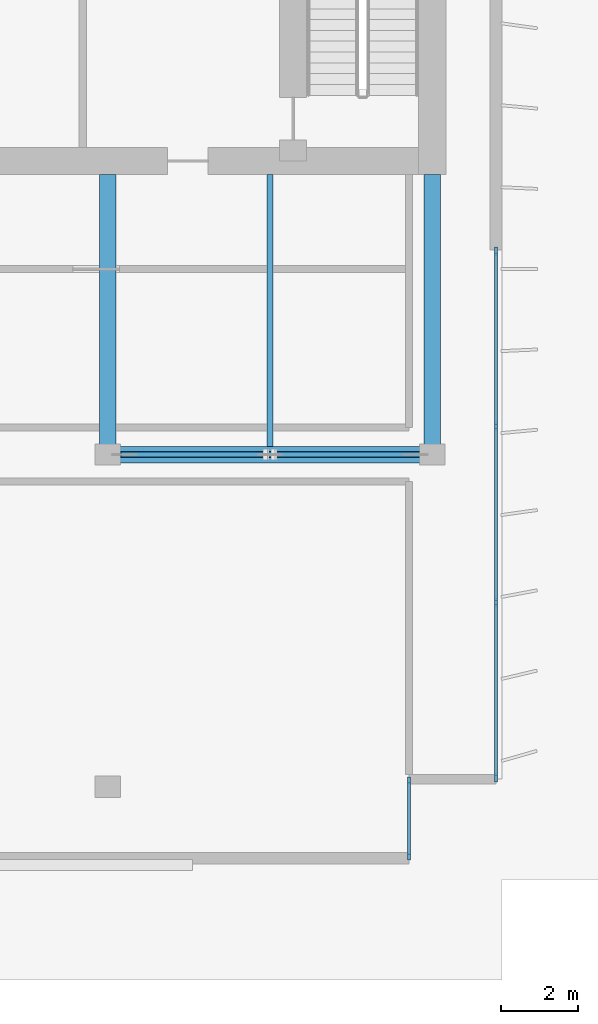
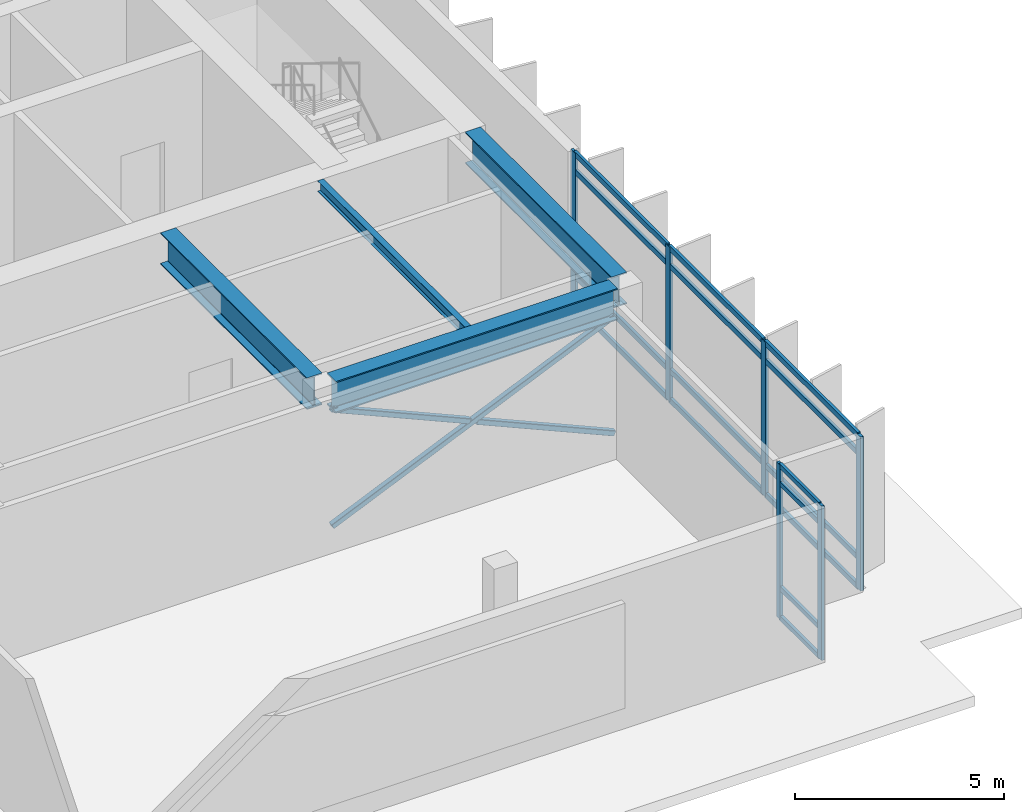
# One storey, part 3 of 10: 25 members, 4 beams, 2 elements without a shape of their own.
"""IFC4 building model written with IfcOpenShell, lengths in metres."""

from ifc_helpers import new_model, si_unit, direction, frame, origin, origin_2d, place, context, subcontext, project, spatial, rectangle, hollow_rectangle, i_section, extrude, material, layer, layer_set, material_profile, profile_set, type_object, element, aggregate, save


model = new_model("IFC4")

# Units and contexts
model_context = context("Model", 3, precision=1e-05, world=origin(), true_north=direction((0.0, 1.0)))
body_context = subcontext(model_context, "Body", "Model", "MODEL_VIEW")
ifc_project = project(units=[si_unit("LENGTHUNIT", "METRE"), si_unit("AREAUNIT", "SQUARE_METRE"), si_unit("VOLUMEUNIT", "CUBIC_METRE"), si_unit("PLANEANGLEUNIT", "RADIAN"), si_unit("MASSUNIT", "GRAM", prefix="KILO")], contexts=[model_context])

# Site, building, storey
site_placement = place(None, origin())
site = spatial("IfcSite", under=ifc_project, at=site_placement, CompositionType="ELEMENT")
building_placement = place(site_placement, origin())
building = spatial("IfcBuilding", under=site, at=building_placement, Name="Caelmar Bay Residences", CompositionType="ELEMENT")
storey_placement = place(building_placement, frame((0.0, 0.0, 295.60009765625)))
storey = spatial("IfcBuildingStorey", under=building, at=storey_placement, Name="L81", CompositionType="ELEMENT", Elevation=295.60009765625)

# Beams
ifc_material_1 = material(Name="Steel ASTM A992 Grade 50", Category="steel")
ifc_material_profile_1 = material_profile(ifc_material_1, i_section(OverallWidth=0.422119140625, OverallDepth=0.925048828125, WebThickness=0.021240234375, FlangeThickness=0.03662109375, FilletRadius=0.020263671875, at=origin_2d()), Name="W36X262")
ifc_profile_set_1 = profile_set([ifc_material_profile_1], Name="Steel ASTM A992 Grade 50")
beam_type_1 = type_object("IfcBeamType", Name="BM-GRD-W36X262", PredefinedType="BEAM", material=ifc_profile_set_1)
beam_1_placement = place(storey_placement, frame((51.4150390625, 29.39990234375, 4.037353515625), z_axis=(1.0, 0.0, 0.0), x_axis=(0.0, 1.0, 0.0)))
element("IfcBeam", 1, at=beam_1_placement, inside=storey, type_object=beam_type_1, Name="L81 East-West Girder Y=29.40 (51.1-59.5)", PredefinedType="BEAM", context=body_context, shape_type="SweptSolid", body=[
    extrude(i_section(OverallWidth=0.422119140625, OverallDepth=0.925048828125, WebThickness=0.021240234375, FlangeThickness=0.03662109375, FilletRadius=0.020263671875, at=origin_2d()), origin(), (0.0, 0.0, 1.0), 7.77001953125),
])
for number, where, z_axis, x_axis, name in (
    (2, (51.10009765625, 29.6650390625, 4.037353515625), (0.0, 1.0, 0.0), (-1.0, 0.0, 0.0), "L81 Core Tie Girder X=51.10"),
    (3, (59.5, 29.6650390625, 4.037353515625), (0.0, 1.0, 0.0), (-1.0, 0.0, 0.0), "L81 Core Tie Girder X=59.50"),
):
    element("IfcBeam", number, at=place(storey_placement, frame(where, z_axis=z_axis, x_axis=x_axis)), inside=storey, type_object=beam_type_1, Name=name, PredefinedType="BEAM", context=body_context, shape_type="SweptSolid", body=[
        extrude(i_section(OverallWidth=0.422119140625, OverallDepth=0.925048828125, WebThickness=0.021240234375, FlangeThickness=0.03662109375, FilletRadius=0.020263671875, at=origin_2d()), origin(), (0.0, 0.0, 1.0), 6.98486328125),
    ])
ifc_material_profile_2 = material_profile(ifc_material_1, i_section(OverallWidth=0.1650390625, OverallDepth=0.31005859375, WebThickness=0.005859375, FlangeThickness=0.009765625, FilletRadius=0.007568359375, at=origin_2d()), Name="W12X26")
ifc_profile_set_2 = profile_set([ifc_material_profile_2], Name="Steel ASTM A992 Grade 50")
beam_type_2 = type_object("IfcBeamType", Name="BM-JST-W12X26", PredefinedType="JOIST", material=ifc_profile_set_2)
beam_2_placement = place(storey_placement, frame((55.300048828125, 29.611083984375, 4.344970703125), z_axis=(0.0, 1.0, 0.0), x_axis=(-1.0, 0.0, 0.0)))
element("IfcBeam", 4, at=beam_2_placement, inside=storey, type_object=beam_type_2, Name="L81 Core-Band Composite Joist 2", PredefinedType="JOIST", context=body_context, shape_type="SweptSolid", body=[
    extrude(i_section(OverallWidth=0.1650390625, OverallDepth=0.31005859375, WebThickness=0.005859375, FlangeThickness=0.009765625, FilletRadius=0.007568359375, at=origin_2d()), origin(), (0.0, 0.0, 1.0), 7.038818359375),
])

# Curtain wall, members
ifc_material_2 = material(Name="Anodised bronze aluminium 6063-T6 and laminated glass", Category="aluminium")
ifc_layer_1 = layer(ifc_material_2, 0.179931640625)
ifc_layer_set_1 = layer_set([ifc_layer_1], Name="Anodised bronze aluminium 6063-T6 and laminated glass")
curtain_wall_type_1 = type_object("IfcCurtainWallType", Name="CW6-NTC", PredefinedType="NOTDEFINED", material=ifc_layer_set_1)
curtain_wall_1_placement = place(storey_placement, origin())
curtain_wall_1 = element("IfcCurtainWall", 5, at=curtain_wall_1_placement, inside=storey, type_object=curtain_wall_type_1, Name="CW6 curtain wall L81", PredefinedType="NOTDEFINED")
ifc_material_3 = material(Name="Anodised bronze aluminium 6063-T6", Category="aluminium")
ifc_material_profile_3 = material_profile(ifc_material_3, rectangle(XDim=0.080078125, YDim=0.179931640625, at=origin_2d()), Name="CWM-80X180")
ifc_profile_set_3 = profile_set([ifc_material_profile_3], Name="Anodised bronze aluminium 6063-T6")
member_type_1 = type_object("IfcMemberType", Name="CWM-180", PredefinedType="MULLION", material=ifc_profile_set_3)
member_1_placement = place(storey_placement, frame((58.89990234375, 18.989990234375, 0.0), z_axis=(0.0, 0.0, 1.0), x_axis=(-1.0, 0.0, 0.0)))
member_1 = element("IfcMember", 6, at=member_1_placement, type_object=member_type_1, Name="CW6 mullion 1", PredefinedType="MULLION", context=body_context, shape_type="SweptSolid", body=[
    extrude(rectangle(XDim=0.080078125, YDim=0.179931640625, at=origin_2d()), origin(), (0.0, 0.0, 1.0), 4.5),
])
member_2_placement = place(storey_placement, frame((58.89990234375, 20.9599609375, 0.0), z_axis=(0.0, 0.0, 1.0), x_axis=(-1.0, 0.0, 0.0)))
member_2 = element("IfcMember", 7, at=member_2_placement, type_object=member_type_1, Name="CW6 mullion 2", PredefinedType="MULLION", context=body_context, shape_type="SweptSolid", body=[
    extrude(rectangle(XDim=0.080078125, YDim=0.179931640625, at=origin_2d()), origin(), (0.0, 0.0, 1.0), 4.5),
])

ifc_layer_2 = layer(ifc_material_2, 0.179931640625)
ifc_layer_set_2 = layer_set([ifc_layer_2], Name="Anodised bronze aluminium 6063-T6 and laminated glass")
curtain_wall_type_2 = type_object("IfcCurtainWallType", Name="CW7-CRN", PredefinedType="NOTDEFINED", material=ifc_layer_set_2)
curtain_wall_2_placement = place(storey_placement, origin())
curtain_wall_2 = element("IfcCurtainWall", 8, at=curtain_wall_2_placement, inside=storey, type_object=curtain_wall_type_2, Name="CW7 curtain wall L81", PredefinedType="NOTDEFINED")
ifc_material_profile_4 = material_profile(ifc_material_3, rectangle(XDim=0.080078125, YDim=0.219970703125, at=origin_2d()), Name="CWM-80X220")
ifc_profile_set_4 = profile_set([ifc_material_profile_4], Name="Anodised bronze aluminium 6063-T6")
member_type_2 = type_object("IfcMemberType", Name="CWM-220", PredefinedType="MULLION", material=ifc_profile_set_4)
member_3_placement = place(storey_placement, frame((61.14990234375, 34.659912109375, 0.0), z_axis=(0.0, 0.0, 1.0), x_axis=(1.0, 0.0, 0.0)))
member_3 = element("IfcMember", 9, at=member_3_placement, type_object=member_type_2, Name="CW7 mullion 1", PredefinedType="MULLION", context=body_context, shape_type="SweptSolid", body=[
    extrude(rectangle(XDim=0.080078125, YDim=0.219970703125, at=origin_2d()), origin(), (0.0, 0.0, 1.0), 4.5),
])
member_4_placement = place(storey_placement, frame((61.14990234375, 30.13330078125, 0.0), z_axis=(0.0, 0.0, 1.0), x_axis=(1.0, 0.0, 0.0)))
member_4 = element("IfcMember", 10, at=member_4_placement, type_object=member_type_2, Name="CW7 mullion 2", PredefinedType="MULLION", context=body_context, shape_type="SweptSolid", body=[
    extrude(rectangle(XDim=0.080078125, YDim=0.219970703125, at=origin_2d()), origin(), (0.0, 0.0, 1.0), 4.5),
])
member_5_placement = place(storey_placement, frame((61.14990234375, 25.566650390625, 0.0), z_axis=(0.0, 0.0, 1.0), x_axis=(1.0, 0.0, 0.0)))
member_5 = element("IfcMember", 11, at=member_5_placement, type_object=member_type_2, Name="CW7 mullion 3", PredefinedType="MULLION", context=body_context, shape_type="SweptSolid", body=[
    extrude(rectangle(XDim=0.080078125, YDim=0.219970703125, at=origin_2d()), origin(), (0.0, 0.0, 1.0), 4.5),
])
member_6_placement = place(storey_placement, frame((61.14990234375, 21.0400390625, 0.0), z_axis=(0.0, 0.0, 1.0), x_axis=(1.0, 0.0, 0.0)))
member_6 = element("IfcMember", 12, at=member_6_placement, type_object=member_type_2, Name="CW7 mullion 4", PredefinedType="MULLION", context=body_context, shape_type="SweptSolid", body=[
    extrude(rectangle(XDim=0.080078125, YDim=0.219970703125, at=origin_2d()), origin(), (0.0, 0.0, 1.0), 4.5),
])

# Member
ifc_material_profile_5 = material_profile(ifc_material_3, rectangle(XDim=0.080078125, YDim=0.139892578125, at=origin_2d()), Name="CWT-80X140")
ifc_profile_set_5 = profile_set([ifc_material_profile_5], Name="Anodised bronze aluminium 6063-T6")
member_type_3 = type_object("IfcMemberType", Name="CWT-140", PredefinedType="NOTDEFINED", material=ifc_profile_set_5)
member_7_placement = place(storey_placement, frame((58.89990234375, 19.030029296875, 0.039794921875), z_axis=(0.0, 1.0, 0.0), x_axis=(-1.0, 0.0, 0.0)))
member_7 = element("IfcMember", 13, at=member_7_placement, type_object=member_type_3, Name="CW6 transom 1.1", ObjectType="TRANSOM", PredefinedType="USERDEFINED", context=body_context, shape_type="SweptSolid", body=[
    extrude(rectangle(XDim=0.080078125, YDim=0.139892578125, at=origin_2d()), origin(), (0.0, 0.0, 1.0), 1.889892578125),
])

member_8_placement = place(storey_placement, frame((58.89990234375, 19.030029296875, 0.89990234375), z_axis=(0.0, 1.0, 0.0), x_axis=(-1.0, 0.0, 0.0)))
member_8 = element("IfcMember", 14, at=member_8_placement, type_object=member_type_3, Name="CW6 transom 1.2", ObjectType="TRANSOM", PredefinedType="USERDEFINED", context=body_context, shape_type="SweptSolid", body=[
    extrude(rectangle(XDim=0.080078125, YDim=0.139892578125, at=origin_2d()), origin(), (0.0, 0.0, 1.0), 1.889892578125),
])

member_9_placement = place(storey_placement, frame((58.89990234375, 19.030029296875, 3.949951171875), z_axis=(0.0, 1.0, 0.0), x_axis=(-1.0, 0.0, 0.0)))
member_9 = element("IfcMember", 15, at=member_9_placement, type_object=member_type_3, Name="CW6 transom 1.3", ObjectType="TRANSOM", PredefinedType="USERDEFINED", context=body_context, shape_type="SweptSolid", body=[
    extrude(rectangle(XDim=0.080078125, YDim=0.139892578125, at=origin_2d()), origin(), (0.0, 0.0, 1.0), 1.889892578125),
])

member_10_placement = place(storey_placement, frame((58.89990234375, 19.030029296875, 4.4599609375), z_axis=(0.0, 1.0, 0.0), x_axis=(-1.0, 0.0, 0.0)))
member_10 = element("IfcMember", 16, at=member_10_placement, type_object=member_type_3, Name="CW6 transom 1.4", ObjectType="TRANSOM", PredefinedType="USERDEFINED", context=body_context, shape_type="SweptSolid", body=[
    extrude(rectangle(XDim=0.080078125, YDim=0.139892578125, at=origin_2d()), origin(), (0.0, 0.0, 1.0), 1.889892578125),
])

aggregate(curtain_wall_1, [member_1, member_2, member_7, member_8, member_9, member_10])

ifc_material_profile_6 = material_profile(ifc_material_3, rectangle(XDim=0.080078125, YDim=0.159912109375, at=origin_2d()), Name="CWT-80X160")
ifc_profile_set_6 = profile_set([ifc_material_profile_6], Name="Anodised bronze aluminium 6063-T6")
member_type_4 = type_object("IfcMemberType", Name="CWT-160", PredefinedType="NOTDEFINED", material=ifc_profile_set_6)
member_11_placement = place(storey_placement, frame((61.14990234375, 34.6201171875, 0.039794921875), z_axis=(0.0, -1.0, 0.0), x_axis=(1.0, 0.0, 0.0)))
member_11 = element("IfcMember", 17, at=member_11_placement, type_object=member_type_4, Name="CW7 transom 1.1", ObjectType="TRANSOM", PredefinedType="USERDEFINED", context=body_context, shape_type="SweptSolid", body=[
    extrude(rectangle(XDim=0.080078125, YDim=0.159912109375, at=origin_2d()), origin(), (0.0, 0.0, 1.0), 4.44677734375),
])

member_12_placement = place(storey_placement, frame((61.14990234375, 34.6201171875, 0.89990234375), z_axis=(0.0, -1.0, 0.0), x_axis=(1.0, 0.0, 0.0)))
member_12 = element("IfcMember", 18, at=member_12_placement, type_object=member_type_4, Name="CW7 transom 1.2", ObjectType="TRANSOM", PredefinedType="USERDEFINED", context=body_context, shape_type="SweptSolid", body=[
    extrude(rectangle(XDim=0.080078125, YDim=0.159912109375, at=origin_2d()), origin(), (0.0, 0.0, 1.0), 4.44677734375),
])

member_13_placement = place(storey_placement, frame((61.14990234375, 34.6201171875, 3.949951171875), z_axis=(0.0, -1.0, 0.0), x_axis=(1.0, 0.0, 0.0)))
member_13 = element("IfcMember", 19, at=member_13_placement, type_object=member_type_4, Name="CW7 transom 1.3", ObjectType="TRANSOM", PredefinedType="USERDEFINED", context=body_context, shape_type="SweptSolid", body=[
    extrude(rectangle(XDim=0.080078125, YDim=0.159912109375, at=origin_2d()), origin(), (0.0, 0.0, 1.0), 4.44677734375),
])

member_14_placement = place(storey_placement, frame((61.14990234375, 34.6201171875, 4.4599609375), z_axis=(0.0, -1.0, 0.0), x_axis=(1.0, 0.0, 0.0)))
member_14 = element("IfcMember", 20, at=member_14_placement, type_object=member_type_4, Name="CW7 transom 1.4", ObjectType="TRANSOM", PredefinedType="USERDEFINED", context=body_context, shape_type="SweptSolid", body=[
    extrude(rectangle(XDim=0.080078125, YDim=0.159912109375, at=origin_2d()), origin(), (0.0, 0.0, 1.0), 4.44677734375),
])

member_15_placement = place(storey_placement, frame((61.14990234375, 30.09326171875, 0.039794921875), z_axis=(0.0, -1.0, 0.0), x_axis=(1.0, 0.0, 0.0)))
member_15 = element("IfcMember", 21, at=member_15_placement, type_object=member_type_4, Name="CW7 transom 2.1", ObjectType="TRANSOM", PredefinedType="USERDEFINED", context=body_context, shape_type="SweptSolid", body=[
    extrude(rectangle(XDim=0.080078125, YDim=0.159912109375, at=origin_2d()), origin(), (0.0, 0.0, 1.0), 4.486572265625),
])

member_16_placement = place(storey_placement, frame((61.14990234375, 30.09326171875, 0.89990234375), z_axis=(0.0, -1.0, 0.0), x_axis=(1.0, 0.0, 0.0)))
member_16 = element("IfcMember", 22, at=member_16_placement, type_object=member_type_4, Name="CW7 transom 2.2", ObjectType="TRANSOM", PredefinedType="USERDEFINED", context=body_context, shape_type="SweptSolid", body=[
    extrude(rectangle(XDim=0.080078125, YDim=0.159912109375, at=origin_2d()), origin(), (0.0, 0.0, 1.0), 4.486572265625),
])

member_17_placement = place(storey_placement, frame((61.14990234375, 30.09326171875, 3.949951171875), z_axis=(0.0, -1.0, 0.0), x_axis=(1.0, 0.0, 0.0)))
member_17 = element("IfcMember", 23, at=member_17_placement, type_object=member_type_4, Name="CW7 transom 2.3", ObjectType="TRANSOM", PredefinedType="USERDEFINED", context=body_context, shape_type="SweptSolid", body=[
    extrude(rectangle(XDim=0.080078125, YDim=0.159912109375, at=origin_2d()), origin(), (0.0, 0.0, 1.0), 4.486572265625),
])

member_18_placement = place(storey_placement, frame((61.14990234375, 30.09326171875, 4.4599609375), z_axis=(0.0, -1.0, 0.0), x_axis=(1.0, 0.0, 0.0)))
member_18 = element("IfcMember", 24, at=member_18_placement, type_object=member_type_4, Name="CW7 transom 2.4", ObjectType="TRANSOM", PredefinedType="USERDEFINED", context=body_context, shape_type="SweptSolid", body=[
    extrude(rectangle(XDim=0.080078125, YDim=0.159912109375, at=origin_2d()), origin(), (0.0, 0.0, 1.0), 4.486572265625),
])

member_19_placement = place(storey_placement, frame((61.14990234375, 25.526611328125, 0.039794921875), z_axis=(0.0, -1.0, 0.0), x_axis=(1.0, 0.0, 0.0)))
member_19 = element("IfcMember", 25, at=member_19_placement, type_object=member_type_4, Name="CW7 transom 3.1", ObjectType="TRANSOM", PredefinedType="USERDEFINED", context=body_context, shape_type="SweptSolid", body=[
    extrude(rectangle(XDim=0.080078125, YDim=0.159912109375, at=origin_2d()), origin(), (0.0, 0.0, 1.0), 4.446533203125),
])

member_20_placement = place(storey_placement, frame((61.14990234375, 25.526611328125, 0.89990234375), z_axis=(0.0, -1.0, 0.0), x_axis=(1.0, 0.0, 0.0)))
member_20 = element("IfcMember", 26, at=member_20_placement, type_object=member_type_4, Name="CW7 transom 3.2", ObjectType="TRANSOM", PredefinedType="USERDEFINED", context=body_context, shape_type="SweptSolid", body=[
    extrude(rectangle(XDim=0.080078125, YDim=0.159912109375, at=origin_2d()), origin(), (0.0, 0.0, 1.0), 4.446533203125),
])

member_21_placement = place(storey_placement, frame((61.14990234375, 25.526611328125, 3.949951171875), z_axis=(0.0, -1.0, 0.0), x_axis=(1.0, 0.0, 0.0)))
member_21 = element("IfcMember", 27, at=member_21_placement, type_object=member_type_4, Name="CW7 transom 3.3", ObjectType="TRANSOM", PredefinedType="USERDEFINED", context=body_context, shape_type="SweptSolid", body=[
    extrude(rectangle(XDim=0.080078125, YDim=0.159912109375, at=origin_2d()), origin(), (0.0, 0.0, 1.0), 4.446533203125),
])

member_22_placement = place(storey_placement, frame((61.14990234375, 25.526611328125, 4.4599609375), z_axis=(0.0, -1.0, 0.0), x_axis=(1.0, 0.0, 0.0)))
member_22 = element("IfcMember", 28, at=member_22_placement, type_object=member_type_4, Name="CW7 transom 3.4", ObjectType="TRANSOM", PredefinedType="USERDEFINED", context=body_context, shape_type="SweptSolid", body=[
    extrude(rectangle(XDim=0.080078125, YDim=0.159912109375, at=origin_2d()), origin(), (0.0, 0.0, 1.0), 4.446533203125),
])

aggregate(curtain_wall_2, [member_3, member_4, member_5, member_6, member_11, member_12, member_13, member_14, member_15, member_16, member_17, member_18, member_19, member_20, member_21, member_22])

# Members
ifc_material_4 = material(Name="Steel ASTM A500 Grade C", Category="steel")
ifc_material_profile_7 = material_profile(ifc_material_4, hollow_rectangle(XDim=0.152099609375, YDim=0.152099609375, WallThickness=0.0087890625, InnerFilletRadius=0.0087890625, OuterFilletRadius=0.017822265625, at=origin_2d()), Name="HSS150X150X9.5")
ifc_profile_set_7 = profile_set([ifc_material_profile_7], Name="Steel ASTM A500 Grade C")
member_type_5 = type_object("IfcMemberType", Name="MEM-BRC-HSS150", PredefinedType="BRACE", material=ifc_profile_set_7)
member_23_placement = place(storey_placement, frame((51.4150390625, 29.39990234375, 0.179931640625), z_axis=(0.915701105969, 0.0, 0.401860031015), x_axis=(0.0, 1.0, 0.0)))
element("IfcMember", 29, at=member_23_placement, inside=storey, type_object=member_type_5, Name="L81 Crown X-Brace Continuous Diagonal 2", PredefinedType="BRACE", context=body_context, shape_type="SweptSolid", body=[
    extrude(hollow_rectangle(XDim=0.152099609375, YDim=0.152099609375, WallThickness=0.0087890625, InnerFilletRadius=0.0087890625, OuterFilletRadius=0.017822265625, at=origin_2d()), origin(), (0.0, 0.0, 1.0), 8.4853515625),
])
member_24_placement = place(storey_placement, frame((59.18505859375, 29.39990234375, 0.179931640625), z_axis=(-0.915701286254, 0.0, 0.401859620206), x_axis=(0.0, -1.0, 0.0)))
element("IfcMember", 30, at=member_24_placement, inside=storey, type_object=member_type_5, Name="L81 Crown X-Brace Lower Split Diagonal 2A", PredefinedType="BRACE", context=body_context, shape_type="SweptSolid", body=[
    extrude(hollow_rectangle(XDim=0.152099609375, YDim=0.152099609375, WallThickness=0.0087890625, InnerFilletRadius=0.0087890625, OuterFilletRadius=0.017822265625, at=origin_2d()), origin(), (0.0, 0.0, 1.0), 4.133544921875),
])
member_25_placement = place(storey_placement, frame((55.199951171875, 29.39990234375, 1.9287109375), z_axis=(-0.915691747448, 0.0, 0.401881355198), x_axis=(0.0, -1.0, 0.0)))
element("IfcMember", 31, at=member_25_placement, inside=storey, type_object=member_type_5, Name="L81 Crown X-Brace Upper Split Diagonal 2B", PredefinedType="BRACE", context=body_context, shape_type="SweptSolid", body=[
    extrude(hollow_rectangle(XDim=0.152099609375, YDim=0.152099609375, WallThickness=0.0087890625, InnerFilletRadius=0.0087890625, OuterFilletRadius=0.017822265625, at=origin_2d()), origin(), (0.0, 0.0, 1.0), 4.13330078125),
])

save(model, "model.ifc")
